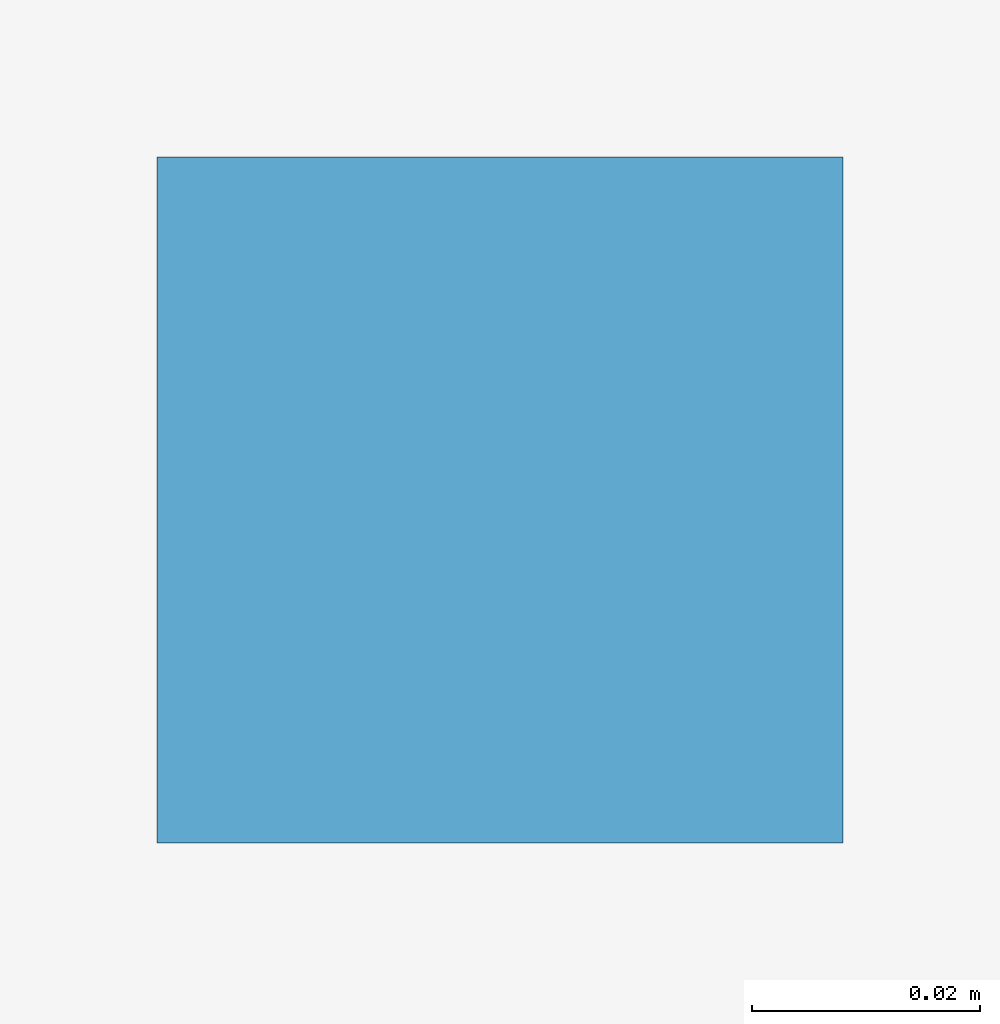
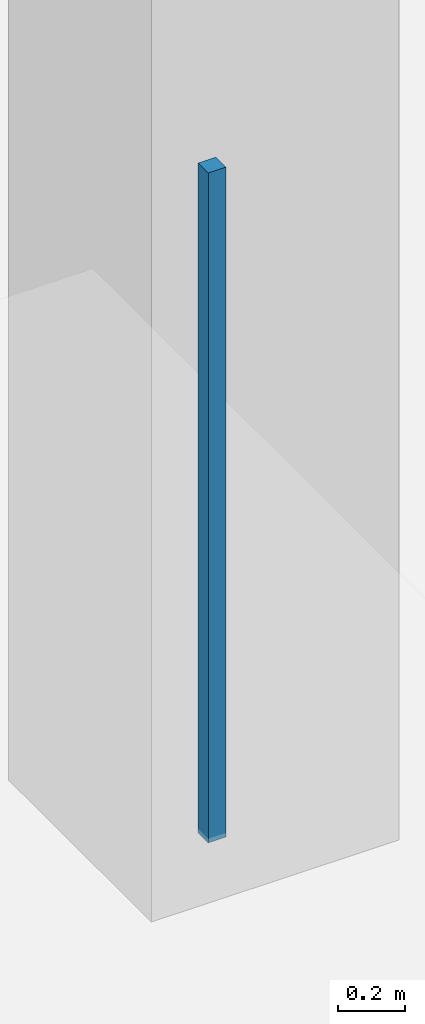
# One storey, part 81 of 90: 1 discrete accessory.
"""IFC4 building model written with IfcOpenShell, lengths in metres."""

from ifc_helpers import new_model, si_unit, direction, frame, origin, origin_2d, place, context, subcontext, project, spatial, rectangle, extrude, material, type_object, element, save


model = new_model("IFC4")

# Units and contexts
model_context = context("Model", 3, precision=1e-05, world=origin(), true_north=direction((0.0, 1.0)))
body_context = subcontext(model_context, "Body", "Model", "MODEL_VIEW")
ifc_project = project(units=[si_unit("LENGTHUNIT", "METRE"), si_unit("AREAUNIT", "SQUARE_METRE"), si_unit("VOLUMEUNIT", "CUBIC_METRE"), si_unit("PLANEANGLEUNIT", "RADIAN"), si_unit("MASSUNIT", "GRAM", prefix="KILO")], contexts=[model_context])

# Site, building, storey
site_placement = place(None, origin())
site = spatial("IfcSite", under=ifc_project, at=site_placement, CompositionType="ELEMENT")
building_placement = place(site_placement, origin())
building = spatial("IfcBuilding", under=site, at=building_placement, Name="Kangsadwip Square Police Headquarters", CompositionType="ELEMENT")
storey_placement = place(building_placement, origin())
storey = spatial("IfcBuildingStorey", under=building, at=storey_placement, Name="L00", CompositionType="ELEMENT", Elevation=0.0)

# Discrete accessory
ifc_material = material(Name="Structural steel IS 2062 E350 (Grade 350, 350 MPa)", Category="steel")
discrete_accessory_type = type_object("IfcDiscreteAccessoryType", Name="VeilOutriggerBracket", PredefinedType="BRACKET", material=ifc_material)
discrete_accessory_placement = place(storey_placement, frame((149.14990234375, 68.39990234375, 2.81005859375), z_axis=(0.0, 0.0, 1.0), x_axis=(1.0, 0.0, 0.0)))
element("IfcDiscreteAccessory", 1, at=discrete_accessory_placement, inside=storey, type_object=discrete_accessory_type, Name="Ceiling Suspension Hanger L00-023", PredefinedType="BRACKET", context=body_context, shape_type="SweptSolid", body=[
    extrude(rectangle(XDim=0.06005859375, YDim=0.06005859375, at=origin_2d()), origin(), (0.0, 0.0, 1.0), 2.429931640625),
])

save(model, "model.ifc")
